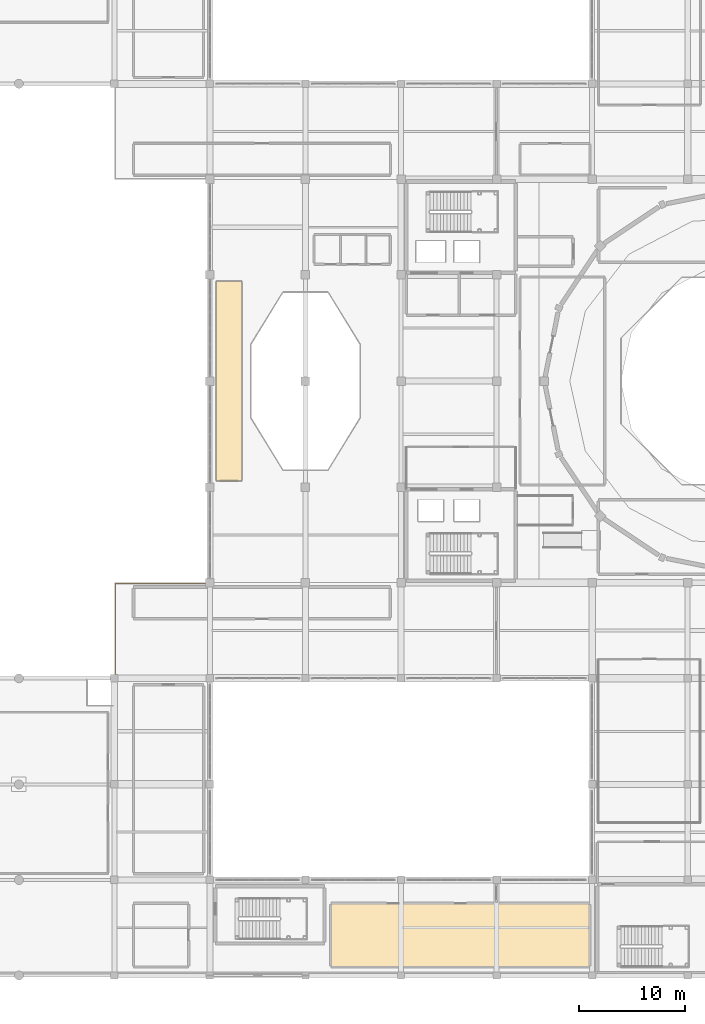
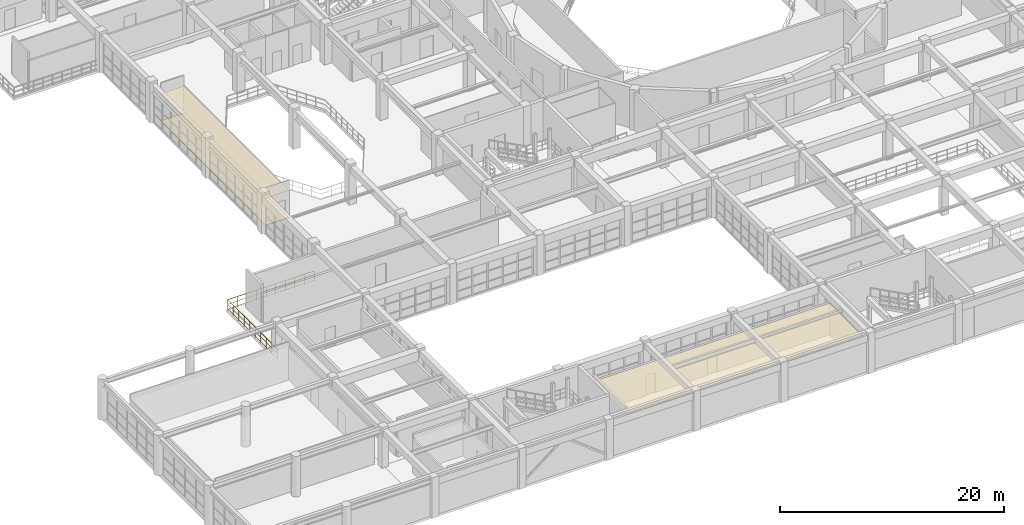
# One storey, part 120 of 133: 3 coverings, 1 railing.
"""IFC4 building model written with IfcOpenShell, lengths in metres."""

from ifc_helpers import new_model, si_unit, direction, frame, origin, origin_2d, place, context, subcontext, project, spatial, polyline, circle, outline, extrude, material, layer, layer_set, type_object, element, save


model = new_model("IFC4")

# Units and contexts
model_context = context("Model", 3, precision=1e-05, world=origin(), true_north=direction((0.0, 1.0)))
body_context = subcontext(model_context, "Body", "Model", "MODEL_VIEW")
ifc_project = project(units=[si_unit("LENGTHUNIT", "METRE"), si_unit("AREAUNIT", "SQUARE_METRE"), si_unit("VOLUMEUNIT", "CUBIC_METRE"), si_unit("PLANEANGLEUNIT", "RADIAN"), si_unit("MASSUNIT", "GRAM", prefix="KILO")], contexts=[model_context])

# Site, building, storey
site_placement = place(None, origin())
site = spatial("IfcSite", under=ifc_project, at=site_placement, CompositionType="ELEMENT")
building_placement = place(site_placement, origin())
building = spatial("IfcBuilding", under=site, at=building_placement, Name="Miravela Opera House", CompositionType="ELEMENT")
storey_placement = place(building_placement, frame((0.0, 0.0, 5.10009765625)))
storey = spatial("IfcBuildingStorey", under=building, at=storey_placement, Name="L01", CompositionType="ELEMENT", Elevation=5.10009765625)

# Coverings
ifc_material_1 = material(Name="Perforated hardwood acoustic reflector ceiling", Category="wood")
ifc_layer_1 = layer(ifc_material_1, 0.031982421875)
ifc_layer_set_1 = layer_set([ifc_layer_1])
covering_type_1 = type_object("IfcCoveringType", Name="ARC-CEIL-ACOUSTIC-32", PredefinedType="CEILING", material=ifc_layer_set_1)
covering_1_placement = place(storey_placement, frame((0.0, 0.0, 3.35986328125)))
element("IfcCovering", 1, at=covering_1_placement, inside=storey, type_object=covering_type_1, Name="Principal Soloist Dressing Suite 2 Acoustic Ceiling", PredefinedType="CEILING", context=body_context, shape_type="SweptSolid", body=[
    extrude(outline(polyline([(38.39990234375, 0.800048828125), (62.800048828125, 0.800048828125), (62.800048828125, 6.800048828125), (38.39990234375, 6.800048828125), (38.39990234375, 0.800048828125)])), origin(), (0.0, 0.0, 1.0), 0.031982421875),
])
ifc_material_2 = material(Name="Spanish Colonial coffered lime-plaster ceiling")
ifc_layer_2 = layer(ifc_material_2, 0.0419921875)
ifc_layer_set_2 = layer_set([ifc_layer_2])
covering_type_2 = type_object("IfcCoveringType", Name="ARC-CEIL-COFFER-42", PredefinedType="CEILING", material=ifc_layer_set_2)
covering_2_placement = place(storey_placement, frame((0.0, 0.0, 2.953857421875)))
element("IfcCovering", 2, at=covering_2_placement, inside=storey, type_object=covering_type_2, Name="Royal Box Reception and Portrait Gallery Acoustic Ceiling", PredefinedType="CEILING", context=body_context, shape_type="SweptSolid", body=[
    extrude(outline(polyline([(27.60009765625, 46.60009765625), (30.0, 46.60009765625), (30.0, 65.39990234375), (27.60009765625, 65.39990234375), (27.60009765625, 46.60009765625)])), origin(), (0.0, 0.0, 1.0), 0.0419921875),
])
ifc_material_3 = material(Name="Handcrafted terracotta salon tile flooring", Category="masonry")
ifc_layer_3 = layer(ifc_material_3, 0.02197265625)
ifc_layer_set_3 = layer_set([ifc_layer_3])
covering_type_3 = type_object("IfcCoveringType", Name="ARC-FLR-TERRACOTTA-22", PredefinedType="FLOORING", material=ifc_layer_set_3)
covering_3_placement = place(storey_placement, origin())
element("IfcCovering", 3, at=covering_3_placement, inside=storey, type_object=covering_type_3, Name="Royal Box Reception and Portrait Gallery Finish Flooring", PredefinedType="FLOORING", context=body_context, shape_type="SweptSolid", body=[
    extrude(outline(polyline([(27.60009765625, 46.60009765625), (30.0, 46.60009765625), (30.0, 65.39990234375), (27.60009765625, 65.39990234375), (27.60009765625, 46.60009765625)])), origin(), (0.0, 0.0, 1.0), 0.02197265625),
])

# Railing
ifc_material_4 = material(Name="Architectural bronze foyer balustrade")
railing_type = type_object("IfcRailingType", Name="ARC-RAIL-ATRIUM-BAL", PredefinedType="BALUSTRADE", material=ifc_material_4)
railing_placement = place(storey_placement, frame((18.080078125, 28.080078125, 0.0)))
element("IfcRailing", 4, at=railing_placement, inside=storey, type_object=railing_type, Name="L01 South Forecourt Gallery Edge Balustrade 0176", PredefinedType="BALUSTRADE", context=body_context, shape_type="SweptSolid", body=[
    extrude(circle(Radius=0.02587890625, at=origin_2d()), frame((0.0, 0.0, 1.11376953125), z_axis=(0.0, 1.0, 0.0), x_axis=(-1.0, 0.0, 0.0)), (0.0, 0.0, 1.0), 8.83984375),
    extrude(circle(Radius=0.01611328125, at=origin_2d()), frame((0.0, 0.0, 0.626953125), z_axis=(0.0, 1.0, 0.0), x_axis=(-1.0, 0.0, 0.0)), (0.0, 0.0, 1.0), 8.83984375),
    extrude(circle(Radius=0.01611328125, at=origin_2d()), frame((0.0, 0.0, 0.1201171875), z_axis=(0.0, 1.0, 0.0), x_axis=(-1.0, 0.0, 0.0)), (0.0, 0.0, 1.0), 8.83984375),
    extrude(circle(Radius=0.02587890625, at=origin_2d()), frame((0.0, 8.83984375, 1.11376953125), z_axis=(1.0, 0.0, 0.0), x_axis=(0.0, 1.0, 0.0)), (0.0, 0.0, 1.0), 8.919921875),
    extrude(circle(Radius=0.01611328125, at=origin_2d()), frame((0.0, 8.83984375, 0.626953125), z_axis=(1.0, 0.0, 0.0), x_axis=(0.0, 1.0, 0.0)), (0.0, 0.0, 1.0), 8.919921875),
    extrude(circle(Radius=0.01611328125, at=origin_2d()), frame((0.0, 8.83984375, 0.1201171875), z_axis=(1.0, 0.0, 0.0), x_axis=(0.0, 1.0, 0.0)), (0.0, 0.0, 1.0), 8.919921875),
    extrude(circle(Radius=0.02099609375, at=origin_2d()), origin(), (0.0, 0.0, 1.0), 1.087890625),
    extrude(circle(Radius=0.02099609375, at=origin_2d()), frame((0.0, 0.982177734375, 0.0)), (0.0, 0.0, 1.0), 1.087890625),
    extrude(circle(Radius=0.02099609375, at=origin_2d()), frame((0.0, 1.96435546875, 0.0)), (0.0, 0.0, 1.0), 1.087890625),
    extrude(circle(Radius=0.02099609375, at=origin_2d()), frame((0.0, 2.946533203125, 0.0)), (0.0, 0.0, 1.0), 1.087890625),
    extrude(circle(Radius=0.02099609375, at=origin_2d()), frame((0.0, 3.9287109375, 0.0)), (0.0, 0.0, 1.0), 1.087890625),
    extrude(circle(Radius=0.02099609375, at=origin_2d()), frame((0.0, 4.9111328125, 0.0)), (0.0, 0.0, 1.0), 1.087890625),
    extrude(circle(Radius=0.02099609375, at=origin_2d()), frame((0.0, 5.893310546875, 0.0)), (0.0, 0.0, 1.0), 1.087890625),
    extrude(circle(Radius=0.02099609375, at=origin_2d()), frame((0.0, 6.87548828125, 0.0)), (0.0, 0.0, 1.0), 1.087890625),
    extrude(circle(Radius=0.02099609375, at=origin_2d()), frame((0.0, 7.857666015625, 0.0)), (0.0, 0.0, 1.0), 1.087890625),
    extrude(circle(Radius=0.02099609375, at=origin_2d()), frame((0.0, 8.83984375, 0.0)), (0.0, 0.0, 1.0), 1.087890625),
    extrude(circle(Radius=0.02099609375, at=origin_2d()), frame((0.9912109375, 8.83984375, 0.0)), (0.0, 0.0, 1.0), 1.087890625),
    extrude(circle(Radius=0.02099609375, at=origin_2d()), frame((1.982177734375, 8.83984375, 0.0)), (0.0, 0.0, 1.0), 1.087890625),
    extrude(circle(Radius=0.02099609375, at=origin_2d()), frame((2.973388671875, 8.83984375, 0.0)), (0.0, 0.0, 1.0), 1.087890625),
    extrude(circle(Radius=0.02099609375, at=origin_2d()), frame((3.96435546875, 8.83984375, 0.0)), (0.0, 0.0, 1.0), 1.087890625),
    extrude(circle(Radius=0.02099609375, at=origin_2d()), frame((4.95556640625, 8.83984375, 0.0)), (0.0, 0.0, 1.0), 1.087890625),
    extrude(circle(Radius=0.02099609375, at=origin_2d()), frame((5.946533203125, 8.83984375, 0.0)), (0.0, 0.0, 1.0), 1.087890625),
    extrude(circle(Radius=0.02099609375, at=origin_2d()), frame((6.937744140625, 8.83984375, 0.0)), (0.0, 0.0, 1.0), 1.087890625),
    extrude(circle(Radius=0.02099609375, at=origin_2d()), frame((7.9287109375, 8.83984375, 0.0)), (0.0, 0.0, 1.0), 1.087890625),
    extrude(circle(Radius=0.02099609375, at=origin_2d()), frame((8.919921875, 8.83984375, 0.0)), (0.0, 0.0, 1.0), 1.087890625),
])

save(model, "model.ifc")
